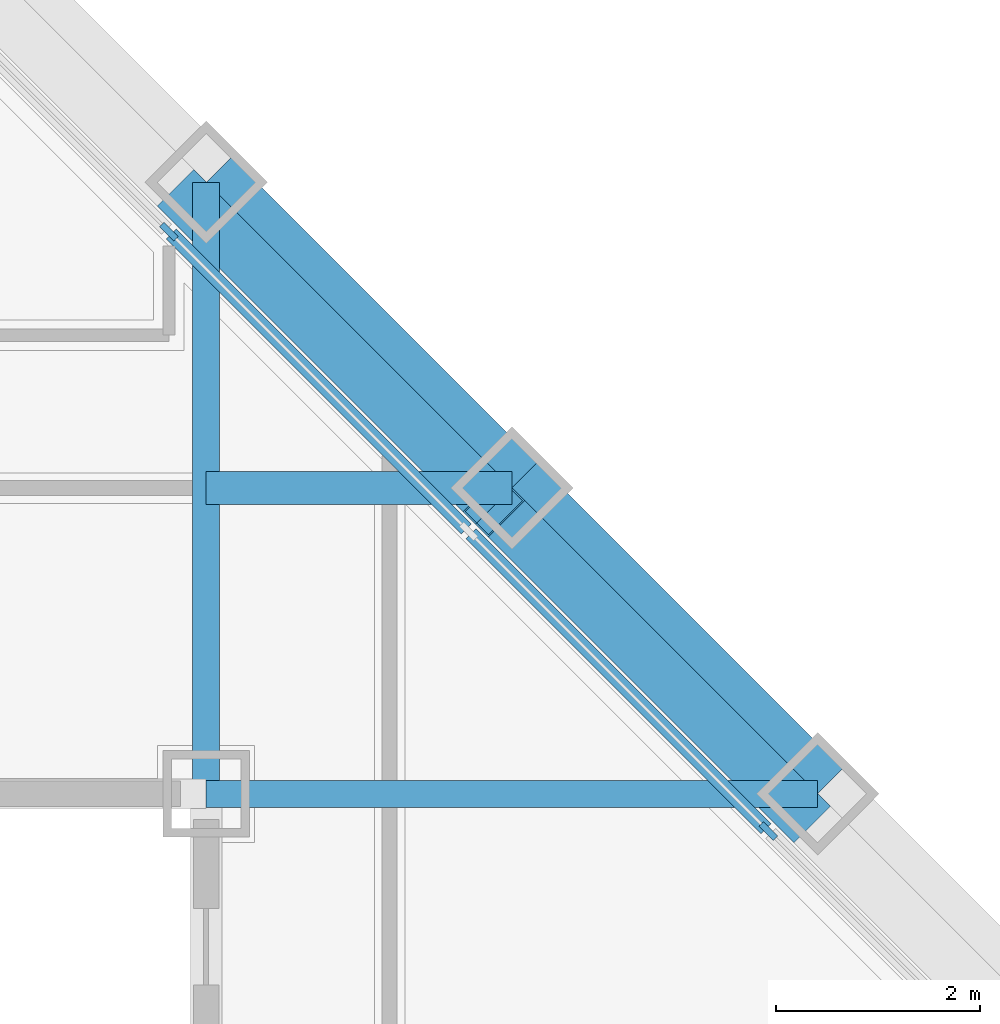
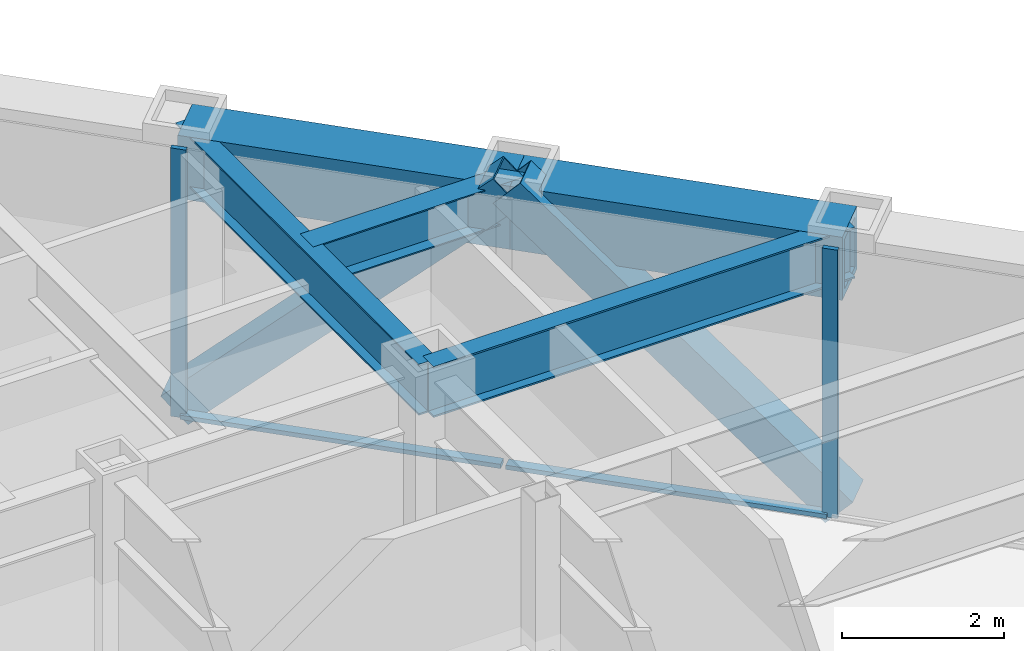
# One storey, part 8 of 17: 6 members, 5 beams, 1 element without a shape of its own.
"""IFC4 building model written with IfcOpenShell, lengths in metres."""

from ifc_helpers import new_model, si_unit, direction, frame, origin, origin_2d, place, context, subcontext, project, spatial, rectangle, hollow_rectangle, i_section, extrude, material, layer, layer_set, material_profile, profile_set, type_object, element, aggregate, save


model = new_model("IFC4")

# Units and contexts
model_context = context("Model", 3, precision=1e-05, world=origin(), true_north=direction((0.0, 1.0)))
body_context = subcontext(model_context, "Body", "Model", "MODEL_VIEW")
ifc_project = project(units=[si_unit("LENGTHUNIT", "METRE"), si_unit("AREAUNIT", "SQUARE_METRE"), si_unit("VOLUMEUNIT", "CUBIC_METRE"), si_unit("PLANEANGLEUNIT", "RADIAN"), si_unit("MASSUNIT", "GRAM", prefix="KILO")], contexts=[model_context])

# Site, building, storey
site_placement = place(None, origin())
site = spatial("IfcSite", under=ifc_project, at=site_placement, CompositionType="ELEMENT")
building_placement = place(site_placement, origin())
building = spatial("IfcBuilding", under=site, at=building_placement, Name="Chuquiago Exchange Tower", CompositionType="ELEMENT")
storey_placement = place(building_placement, frame((0.0, 0.0, 165.60009765625)))
storey = spatial("IfcBuildingStorey", under=building, at=storey_placement, Name="L36", CompositionType="ELEMENT", Elevation=165.60009765625)

# Beam
ifc_material_1 = material(Name="Steel ASTM A992", Category="steel")
ifc_material_profile_1 = material_profile(ifc_material_1, i_section(OverallWidth=0.3251953125, OverallDepth=0.612060546875, WebThickness=0.0126953125, FlangeThickness=0.01904296875, at=origin_2d()), Name="W24X104")
ifc_profile_set_1 = profile_set([ifc_material_profile_1], Name="Steel ASTM A992")
beam_type_1 = type_object("IfcBeamType", Name="B2 W24X104", PredefinedType="BEAM", material=ifc_profile_set_1)
beam_placement = place(storey_placement, frame((33.0, 36.0, 3.73388671875), z_axis=(1.0, 0.0, 0.0), x_axis=(0.0, 1.0, 0.0)))
element("IfcBeam", 1, at=beam_placement, inside=storey, type_object=beam_type_1, Name="FB-L37-corner-33_36-36_36-0", PredefinedType="BEAM", context=body_context, shape_type="SweptSolid", body=[
    extrude(i_section(OverallWidth=0.3251953125, OverallDepth=0.612060546875, WebThickness=0.0126953125, FlangeThickness=0.01904296875, at=origin_2d()), origin(), (0.0, 0.0, 1.0), 3.0),
])

# Curtain wall, members
ifc_material_2 = material(Name="Aluminium curtain wall system", Category="aluminium")
ifc_layer = layer(ifc_material_2, 0.199951171875)
ifc_layer_set = layer_set([ifc_layer], Name="CW3 facet curtain wall")
curtain_wall_type = type_object("IfcCurtainWallType", Name="CW3 facet curtain wall", PredefinedType="NOTDEFINED", material=ifc_layer_set)
curtain_wall_placement = place(storey_placement, origin())
curtain_wall = element("IfcCurtainWall", 2, at=curtain_wall_placement, inside=storey, type_object=curtain_wall_type, Name="CW3 curtain wall L36", PredefinedType="NOTDEFINED")
ifc_material_3 = material(Name="Aluminium mullion, pale anodised", Category="aluminium")
ifc_material_profile_2 = material_profile(ifc_material_3, rectangle(XDim=0.06494140625, YDim=0.199951171875, at=origin_2d()), Name="AL 65x200")
ifc_profile_set_2 = profile_set([ifc_material_profile_2], Name="Aluminium mullion, pale anodised")
member_type_1 = type_object("IfcMemberType", Name="CW3-M mullion 65x200", PredefinedType="MULLION", material=ifc_profile_set_2)
member_1_placement = place(storey_placement, frame((38.51708984375, 32.63427734375, 0.0), z_axis=(0.0, 0.0, 1.0), x_axis=(-0.707106781187, -0.707106781187, 0.0)))
member_1 = element("IfcMember", 3, at=member_1_placement, type_object=member_type_1, Name="CW3 mullion 3", PredefinedType="MULLION", context=body_context, shape_type="SweptSolid", body=[
    extrude(rectangle(XDim=0.06494140625, YDim=0.199951171875, at=origin_2d()), origin(), (0.0, 0.0, 1.0), 4.039794921875),
])
member_2_placement = place(storey_placement, frame((32.63427734375, 38.51708984375, 0.0), z_axis=(0.0, 0.0, 1.0), x_axis=(-0.707106781187, -0.707106781187, 0.0)))
member_2 = element("IfcMember", 4, at=member_2_placement, type_object=member_type_1, Name="CW3 mullion 5", PredefinedType="MULLION", context=body_context, shape_type="SweptSolid", body=[
    extrude(rectangle(XDim=0.06494140625, YDim=0.199951171875, at=origin_2d()), origin(), (0.0, 0.0, 1.0), 4.039794921875),
])
ifc_material_4 = material(Name="Aluminium transom, pale anodised", Category="aluminium")
ifc_material_profile_3 = material_profile(ifc_material_4, rectangle(XDim=0.139892578125, YDim=0.06494140625, at=origin_2d()), Name="AL 140x65")
ifc_profile_set_3 = profile_set([ifc_material_profile_3], Name="Aluminium transom, pale anodised")
member_type_2 = type_object("IfcMemberType", Name="CW3-T transom 65x140", PredefinedType="MULLION", material=ifc_profile_set_3)
member_3_placement = place(storey_placement, frame((38.494140625, 32.6572265625, 0.032470703125), z_axis=(-0.707106781187, 0.707106781187, 0.0), x_axis=(-0.707106781187, -0.707106781187, 0.0)))
member_3 = element("IfcMember", 5, at=member_3_placement, type_object=member_type_2, Name="CW3 transom 3.1", PredefinedType="MULLION", context=body_context, shape_type="SweptSolid", body=[
    extrude(rectangle(XDim=0.139892578125, YDim=0.06494140625, at=origin_2d()), origin(), (0.0, 0.0, 1.0), 4.094970703125),
])
member_4_placement = place(storey_placement, frame((35.552734375, 35.5986328125, 0.032470703125), z_axis=(-0.707106781187, 0.707106781187, 0.0), x_axis=(-0.707106781187, -0.707106781187, 0.0)))
member_4 = element("IfcMember", 6, at=member_4_placement, type_object=member_type_2, Name="CW3 transom 4.1", PredefinedType="MULLION", context=body_context, shape_type="SweptSolid", body=[
    extrude(rectangle(XDim=0.139892578125, YDim=0.06494140625, at=origin_2d()), origin(), (0.0, 0.0, 1.0), 4.094970703125),
])
aggregate(curtain_wall, [member_1, member_2, member_3, member_4])

# Beams
ifc_material_5 = material(Name="Steel ASTM A992", Category="steel")
ifc_material_profile_4 = material_profile(ifc_material_5, i_section(OverallWidth=0.2666015625, OverallDepth=0.76953125, WebThickness=0.015625, FlangeThickness=0.025390625, at=origin_2d()), Name="W30X132")
ifc_profile_set_4 = profile_set([ifc_material_profile_4], Name="Steel ASTM A992")
beam_type_2 = type_object("IfcBeamType", Name="G1 W30X132", PredefinedType="BEAM", material=ifc_profile_set_4)
for number, where, z_axis, x_axis, name in (
    (7, (33.0, 33.0, 3.655029296875), (0.0, 1.0, 0.0), (-1.0, 0.0, 0.0), "FB-L37-girder-33_33-33_39-0"),
    (8, (33.0, 33.0, 3.655029296875), (1.0, 0.0, 0.0), (0.0, 1.0, 0.0), "FB-L37-girder-33_33-39_33-0"),
):
    element("IfcBeam", number, at=place(storey_placement, frame(where, z_axis=z_axis, x_axis=x_axis)), inside=storey, type_object=beam_type_2, Name=name, PredefinedType="BEAM", context=body_context, shape_type="SweptSolid", body=[
        extrude(i_section(OverallWidth=0.2666015625, OverallDepth=0.76953125, WebThickness=0.015625, FlangeThickness=0.025390625, at=origin_2d()), origin(), (0.0, 0.0, 1.0), 6.0),
    ])

# Members
ifc_material_6 = material(Name="Steel ASTM A500 Grade C", Category="steel")
ifc_material_profile_5 = material_profile(ifc_material_6, hollow_rectangle(XDim=0.508056640625, YDim=0.508056640625, WallThickness=0.017822265625, at=origin_2d()), Name="HSS20X20X3/4")
ifc_profile_set_5 = profile_set([ifc_material_profile_5], Name="Steel ASTM A500 Grade C")
member_type_3 = type_object("IfcMemberType", Name="LB1 HSS20X20X3/4", PredefinedType="BRACE", material=ifc_profile_set_5)
for number, where, z_axis, x_axis, name in (
    (9, (38.822509765625, 32.822509765625, 0.0), (-0.51209198167, 0.51209198167, 0.689582195694), (-0.707106781187, -0.707106781187, 0.0), "LB-L36-39_33-36_36"),
    (10, (32.822509765625, 38.822509765625, 0.0), (0.51209198167, -0.51209198167, 0.689582195694), (0.707106781187, 0.707106781187, 0.0), "LB-L36-36_36-33_39"),
):
    element("IfcMember", number, at=place(storey_placement, frame(where, z_axis=z_axis, x_axis=x_axis)), inside=storey, type_object=member_type_3, Name=name, PredefinedType="BRACE", context=body_context, shape_type="SweptSolid", body=[
        extrude(hollow_rectangle(XDim=0.508056640625, YDim=0.508056640625, WallThickness=0.017822265625, at=origin_2d()), origin(), (0.0, 0.0, 1.0), 5.8583984375),
    ])

# Beams
ifc_material_7 = material(Name="Steel ASTM A572 Grade 50", Category="steel")
ifc_material_profile_6 = material_profile(ifc_material_7, hollow_rectangle(XDim=0.699951171875, YDim=0.949951171875, WallThickness=0.10009765625, at=origin_2d()), Name="BOX950X700X100")
ifc_profile_set_6 = profile_set([ifc_material_profile_6], Name="Steel ASTM A572 Grade 50")
beam_type_3 = type_object("IfcBeamType", Name="SP5 BOX950X700X100", PredefinedType="SPANDREL", material=ifc_profile_set_6)
for number, where, z_axis, x_axis, name in (
    (11, (39.0, 33.0, 3.56494140625), (-0.707106781187, 0.707106781187, 0.0), (-0.707106781187, -0.707106781187, 0.0), "SPB-L37-39_33-36_36"),
    (12, (36.0, 36.0, 3.56494140625), (-0.707106781187, 0.707106781187, 0.0), (-0.707106781187, -0.707106781187, 0.0), "SPB-L37-36_36-33_39"),
):
    element("IfcBeam", number, at=place(storey_placement, frame(where, z_axis=z_axis, x_axis=x_axis)), inside=storey, type_object=beam_type_3, Name=name, PredefinedType="SPANDREL", context=body_context, shape_type="SweptSolid", body=[
        extrude(hollow_rectangle(XDim=0.699951171875, YDim=0.949951171875, WallThickness=0.10009765625, at=origin_2d()), origin(), (0.0, 0.0, 1.0), 4.24267578125),
    ])

save(model, "model.ifc")
